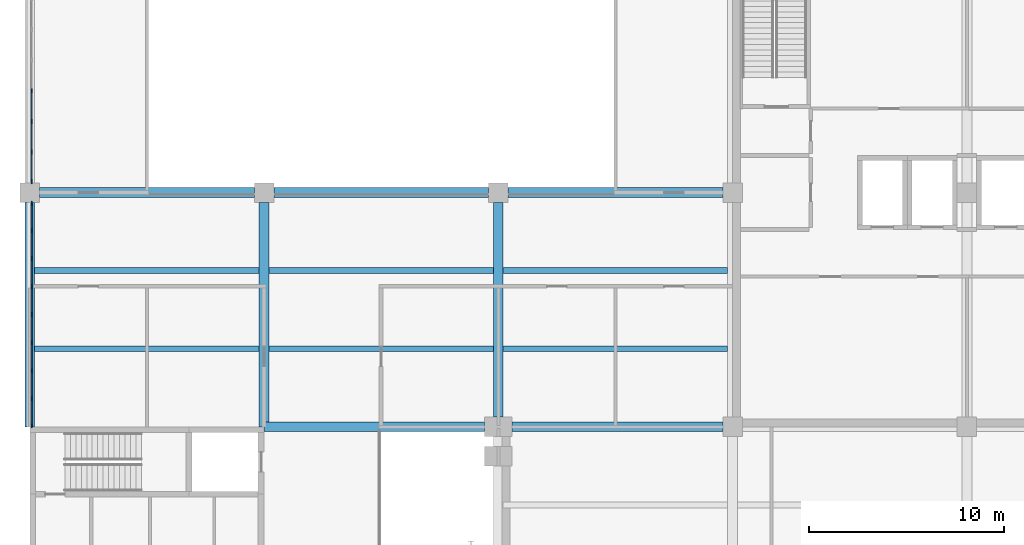
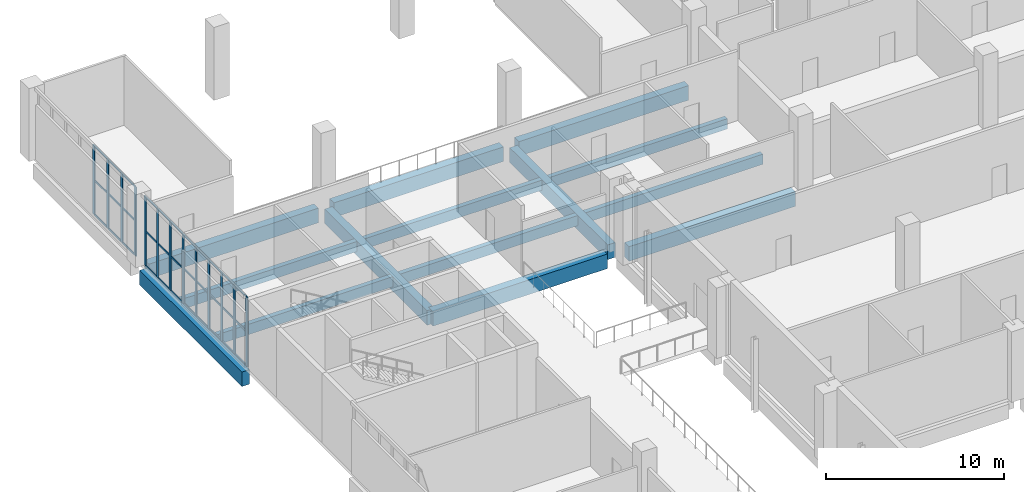
# One storey, part 37 of 69: 46 members, 14 beams, 2 elements without a shape of their own.
"""IFC4 building model written with IfcOpenShell, lengths in metres."""

from ifc_helpers import new_model, si_unit, direction, frame, origin, origin_2d, place, context, subcontext, project, spatial, rectangle, extrude, material, layer, layer_set, material_profile, profile_set, type_object, element, aggregate, save


model = new_model("IFC4")

# Units and contexts
model_context = context("Model", 3, precision=1e-05, world=origin(), true_north=direction((0.0, 1.0)))
body_context = subcontext(model_context, "Body", "Model", "MODEL_VIEW")
ifc_project = project(units=[si_unit("LENGTHUNIT", "METRE"), si_unit("AREAUNIT", "SQUARE_METRE"), si_unit("VOLUMEUNIT", "CUBIC_METRE"), si_unit("PLANEANGLEUNIT", "RADIAN"), si_unit("MASSUNIT", "GRAM", prefix="KILO")], contexts=[model_context])

# Site, building, storey
site_placement = place(None, origin())
site = spatial("IfcSite", under=ifc_project, at=site_placement, CompositionType="ELEMENT")
building_placement = place(site_placement, origin())
building = spatial("IfcBuilding", under=site, at=building_placement, Name="Lilac Gate Convention Centre", CompositionType="ELEMENT")
storey_placement = place(building_placement, frame((0.0, 0.0, 12.0)))
storey = spatial("IfcBuildingStorey", under=building, at=storey_placement, Name="L02", CompositionType="ELEMENT", Elevation=12.0)

# Curtain wall, members
ifc_material_1 = material(Name="Aluminium framed double glazing", Category="aluminium")
ifc_layer = layer(ifc_material_1, 0.199951171875)
ifc_layer_set = layer_set([ifc_layer], Name="Aluminium framed double glazing")
curtain_wall_type = type_object("IfcCurtainWallType", Name="Unitised curtain wall 1500", PredefinedType="NOTDEFINED", material=ifc_layer_set)
curtain_wall_1_placement = place(storey_placement, origin())
curtain_wall_1 = element("IfcCurtainWall", 1, at=curtain_wall_1_placement, inside=storey, type_object=curtain_wall_type, Name="Curtain wall GW L02 1", PredefinedType="NOTDEFINED")
ifc_material_2 = material(Name="Aluminium alloy 6063", Category="aluminium")
ifc_material_profile_1 = material_profile(ifc_material_2, rectangle(XDim=0.06005859375, YDim=0.219970703125, at=origin_2d()), Name="Curtain wall mullion 60 x 220")
ifc_profile_set_1 = profile_set([ifc_material_profile_1], Name="Aluminium alloy 6063")
member_type_1 = type_object("IfcMemberType", Name="Curtain wall mullion 60 x 220", PredefinedType="MULLION", material=ifc_profile_set_1)
member_1_placement = place(storey_placement, frame((6.10009765625, 239.21435546875, 0.0), z_axis=(0.0, 0.0, 1.0), x_axis=(1.0, 0.0, 0.0)))
member_1 = element("IfcMember", 2, at=member_1_placement, type_object=member_type_1, Name="CW mullion 5", PredefinedType="MULLION", context=body_context, shape_type="SweptSolid", body=[
    extrude(rectangle(XDim=0.06005859375, YDim=0.219970703125, at=origin_2d()), origin(), (0.0, 0.0, 1.0), 4.75),
])
member_2_placement = place(storey_placement, frame((6.10009765625, 237.642822265625, 0.0), z_axis=(0.0, 0.0, 1.0), x_axis=(1.0, 0.0, 0.0)))
member_2 = element("IfcMember", 3, at=member_2_placement, type_object=member_type_1, Name="CW mullion 6", PredefinedType="MULLION", context=body_context, shape_type="SweptSolid", body=[
    extrude(rectangle(XDim=0.06005859375, YDim=0.219970703125, at=origin_2d()), origin(), (0.0, 0.0, 1.0), 4.75),
])
member_3_placement = place(storey_placement, frame((6.10009765625, 236.071533203125, 0.0), z_axis=(0.0, 0.0, 1.0), x_axis=(1.0, 0.0, 0.0)))
member_3 = element("IfcMember", 4, at=member_3_placement, type_object=member_type_1, Name="CW mullion 7", PredefinedType="MULLION", context=body_context, shape_type="SweptSolid", body=[
    extrude(rectangle(XDim=0.06005859375, YDim=0.219970703125, at=origin_2d()), origin(), (0.0, 0.0, 1.0), 4.75),
])
member_4_placement = place(storey_placement, frame((6.10009765625, 234.56005859375, 0.0), z_axis=(0.0, 0.0, 1.0), x_axis=(1.0, 0.0, 0.0)))
member_4 = element("IfcMember", 5, at=member_4_placement, type_object=member_type_1, Name="CW mullion 8", PredefinedType="MULLION", context=body_context, shape_type="SweptSolid", body=[
    extrude(rectangle(XDim=0.06005859375, YDim=0.219970703125, at=origin_2d()), origin(), (0.0, 0.0, 1.0), 4.75),
])

curtain_wall_2_placement = place(storey_placement, origin())
curtain_wall_2 = element("IfcCurtainWall", 6, at=curtain_wall_2_placement, inside=storey, type_object=curtain_wall_type, Name="Curtain wall GW L02 2", PredefinedType="NOTDEFINED")
member_5_placement = place(storey_placement, frame((6.10009765625, 233.43994140625, 0.0), z_axis=(0.0, 0.0, 1.0), x_axis=(1.0, 0.0, 0.0)))
member_5 = element("IfcMember", 7, at=member_5_placement, type_object=member_type_1, Name="CW mullion 1", PredefinedType="MULLION", context=body_context, shape_type="SweptSolid", body=[
    extrude(rectangle(XDim=0.06005859375, YDim=0.219970703125, at=origin_2d()), origin(), (0.0, 0.0, 1.0), 4.75),
])
member_6_placement = place(storey_placement, frame((6.10009765625, 232.0625, 0.0), z_axis=(0.0, 0.0, 1.0), x_axis=(1.0, 0.0, 0.0)))
member_6 = element("IfcMember", 8, at=member_6_placement, type_object=member_type_1, Name="CW mullion 2", PredefinedType="MULLION", context=body_context, shape_type="SweptSolid", body=[
    extrude(rectangle(XDim=0.06005859375, YDim=0.219970703125, at=origin_2d()), origin(), (0.0, 0.0, 1.0), 4.75),
])
member_7_placement = place(storey_placement, frame((6.10009765625, 230.625, 0.0), z_axis=(0.0, 0.0, 1.0), x_axis=(1.0, 0.0, 0.0)))
member_7 = element("IfcMember", 9, at=member_7_placement, type_object=member_type_1, Name="CW mullion 3", PredefinedType="MULLION", context=body_context, shape_type="SweptSolid", body=[
    extrude(rectangle(XDim=0.06005859375, YDim=0.219970703125, at=origin_2d()), origin(), (0.0, 0.0, 1.0), 4.75),
])
member_8_placement = place(storey_placement, frame((6.10009765625, 229.1875, 0.0), z_axis=(0.0, 0.0, 1.0), x_axis=(1.0, 0.0, 0.0)))
member_8 = element("IfcMember", 10, at=member_8_placement, type_object=member_type_1, Name="CW mullion 4", PredefinedType="MULLION", context=body_context, shape_type="SweptSolid", body=[
    extrude(rectangle(XDim=0.06005859375, YDim=0.219970703125, at=origin_2d()), origin(), (0.0, 0.0, 1.0), 4.75),
])
member_9_placement = place(storey_placement, frame((6.10009765625, 227.75, 0.0), z_axis=(0.0, 0.0, 1.0), x_axis=(1.0, 0.0, 0.0)))
member_9 = element("IfcMember", 11, at=member_9_placement, type_object=member_type_1, Name="CW mullion 5", PredefinedType="MULLION", context=body_context, shape_type="SweptSolid", body=[
    extrude(rectangle(XDim=0.06005859375, YDim=0.219970703125, at=origin_2d()), origin(), (0.0, 0.0, 1.0), 4.75),
])
member_10_placement = place(storey_placement, frame((6.10009765625, 226.3125, 0.0), z_axis=(0.0, 0.0, 1.0), x_axis=(1.0, 0.0, 0.0)))
member_10 = element("IfcMember", 12, at=member_10_placement, type_object=member_type_1, Name="CW mullion 6", PredefinedType="MULLION", context=body_context, shape_type="SweptSolid", body=[
    extrude(rectangle(XDim=0.06005859375, YDim=0.219970703125, at=origin_2d()), origin(), (0.0, 0.0, 1.0), 4.75),
])
member_11_placement = place(storey_placement, frame((6.10009765625, 224.875, 0.0), z_axis=(0.0, 0.0, 1.0), x_axis=(1.0, 0.0, 0.0)))
member_11 = element("IfcMember", 13, at=member_11_placement, type_object=member_type_1, Name="CW mullion 7", PredefinedType="MULLION", context=body_context, shape_type="SweptSolid", body=[
    extrude(rectangle(XDim=0.06005859375, YDim=0.219970703125, at=origin_2d()), origin(), (0.0, 0.0, 1.0), 4.75),
])
member_12_placement = place(storey_placement, frame((6.10009765625, 223.4375, 0.0), z_axis=(0.0, 0.0, 1.0), x_axis=(1.0, 0.0, 0.0)))
member_12 = element("IfcMember", 14, at=member_12_placement, type_object=member_type_1, Name="CW mullion 8", PredefinedType="MULLION", context=body_context, shape_type="SweptSolid", body=[
    extrude(rectangle(XDim=0.06005859375, YDim=0.219970703125, at=origin_2d()), origin(), (0.0, 0.0, 1.0), 4.75),
])
member_13_placement = place(storey_placement, frame((6.10009765625, 222.06005859375, 0.0), z_axis=(0.0, 0.0, 1.0), x_axis=(1.0, 0.0, 0.0)))
member_13 = element("IfcMember", 15, at=member_13_placement, type_object=member_type_1, Name="CW mullion 9", PredefinedType="MULLION", context=body_context, shape_type="SweptSolid", body=[
    extrude(rectangle(XDim=0.06005859375, YDim=0.219970703125, at=origin_2d()), origin(), (0.0, 0.0, 1.0), 4.75),
])

# Member
ifc_material_profile_2 = material_profile(ifc_material_2, rectangle(XDim=0.06005859375, YDim=0.1201171875, at=origin_2d()), Name="Curtain wall transom 60 x 120")
ifc_profile_set_2 = profile_set([ifc_material_profile_2], Name="Aluminium alloy 6063")
member_type_2 = type_object("IfcMemberType", Name="Curtain wall transom 60 x 120", PredefinedType="USERDEFINED", material=ifc_profile_set_2)
member_14_placement = place(storey_placement, frame((6.10009765625, 239.184326171875, 0.030029296875), z_axis=(0.0, -1.0, 0.0), x_axis=(1.0, 0.0, 0.0)))
member_14 = element("IfcMember", 16, at=member_14_placement, type_object=member_type_2, Name="CW transom 5.1", ObjectType="TRANSOM", PredefinedType="USERDEFINED", context=body_context, shape_type="SweptSolid", body=[
    extrude(rectangle(XDim=0.06005859375, YDim=0.1201171875, at=origin_2d()), origin(), (0.0, 0.0, 1.0), 1.511474609375),
])

member_15_placement = place(storey_placement, frame((6.10009765625, 239.184326171875, 2.375), z_axis=(0.0, -1.0, 0.0), x_axis=(1.0, 0.0, 0.0)))
member_15 = element("IfcMember", 17, at=member_15_placement, type_object=member_type_2, Name="CW transom 5.2", ObjectType="TRANSOM", PredefinedType="USERDEFINED", context=body_context, shape_type="SweptSolid", body=[
    extrude(rectangle(XDim=0.06005859375, YDim=0.1201171875, at=origin_2d()), origin(), (0.0, 0.0, 1.0), 1.511474609375),
])

member_16_placement = place(storey_placement, frame((6.10009765625, 239.184326171875, 4.719970703125), z_axis=(0.0, -1.0, 0.0), x_axis=(1.0, 0.0, 0.0)))
member_16 = element("IfcMember", 18, at=member_16_placement, type_object=member_type_2, Name="CW transom 5.3", ObjectType="TRANSOM", PredefinedType="USERDEFINED", context=body_context, shape_type="SweptSolid", body=[
    extrude(rectangle(XDim=0.06005859375, YDim=0.1201171875, at=origin_2d()), origin(), (0.0, 0.0, 1.0), 1.511474609375),
])

member_17_placement = place(storey_placement, frame((6.10009765625, 237.61279296875, 0.030029296875), z_axis=(0.0, -1.0, 0.0), x_axis=(1.0, 0.0, 0.0)))
member_17 = element("IfcMember", 19, at=member_17_placement, type_object=member_type_2, Name="CW transom 6.1", ObjectType="TRANSOM", PredefinedType="USERDEFINED", context=body_context, shape_type="SweptSolid", body=[
    extrude(rectangle(XDim=0.06005859375, YDim=0.1201171875, at=origin_2d()), origin(), (0.0, 0.0, 1.0), 1.511474609375),
])

member_18_placement = place(storey_placement, frame((6.10009765625, 237.61279296875, 2.375), z_axis=(0.0, -1.0, 0.0), x_axis=(1.0, 0.0, 0.0)))
member_18 = element("IfcMember", 20, at=member_18_placement, type_object=member_type_2, Name="CW transom 6.2", ObjectType="TRANSOM", PredefinedType="USERDEFINED", context=body_context, shape_type="SweptSolid", body=[
    extrude(rectangle(XDim=0.06005859375, YDim=0.1201171875, at=origin_2d()), origin(), (0.0, 0.0, 1.0), 1.511474609375),
])

member_19_placement = place(storey_placement, frame((6.10009765625, 237.61279296875, 4.719970703125), z_axis=(0.0, -1.0, 0.0), x_axis=(1.0, 0.0, 0.0)))
member_19 = element("IfcMember", 21, at=member_19_placement, type_object=member_type_2, Name="CW transom 6.3", ObjectType="TRANSOM", PredefinedType="USERDEFINED", context=body_context, shape_type="SweptSolid", body=[
    extrude(rectangle(XDim=0.06005859375, YDim=0.1201171875, at=origin_2d()), origin(), (0.0, 0.0, 1.0), 1.511474609375),
])

member_20_placement = place(storey_placement, frame((6.10009765625, 236.04150390625, 0.030029296875), z_axis=(0.0, -1.0, 0.0), x_axis=(1.0, 0.0, 0.0)))
member_20 = element("IfcMember", 22, at=member_20_placement, type_object=member_type_2, Name="CW transom 7.1", ObjectType="TRANSOM", PredefinedType="USERDEFINED", context=body_context, shape_type="SweptSolid", body=[
    extrude(rectangle(XDim=0.06005859375, YDim=0.1201171875, at=origin_2d()), origin(), (0.0, 0.0, 1.0), 1.4814453125),
])

member_21_placement = place(storey_placement, frame((6.10009765625, 236.04150390625, 2.375), z_axis=(0.0, -1.0, 0.0), x_axis=(1.0, 0.0, 0.0)))
member_21 = element("IfcMember", 23, at=member_21_placement, type_object=member_type_2, Name="CW transom 7.2", ObjectType="TRANSOM", PredefinedType="USERDEFINED", context=body_context, shape_type="SweptSolid", body=[
    extrude(rectangle(XDim=0.06005859375, YDim=0.1201171875, at=origin_2d()), origin(), (0.0, 0.0, 1.0), 1.4814453125),
])

member_22_placement = place(storey_placement, frame((6.10009765625, 236.04150390625, 4.719970703125), z_axis=(0.0, -1.0, 0.0), x_axis=(1.0, 0.0, 0.0)))
member_22 = element("IfcMember", 24, at=member_22_placement, type_object=member_type_2, Name="CW transom 7.3", ObjectType="TRANSOM", PredefinedType="USERDEFINED", context=body_context, shape_type="SweptSolid", body=[
    extrude(rectangle(XDim=0.06005859375, YDim=0.1201171875, at=origin_2d()), origin(), (0.0, 0.0, 1.0), 1.4814453125),
])

aggregate(curtain_wall_1, [member_1, member_2, member_3, member_4, member_14, member_15, member_16, member_17, member_18, member_19, member_20, member_21, member_22])

member_23_placement = place(storey_placement, frame((6.10009765625, 233.43994140625, 0.030029296875), z_axis=(0.0, -1.0, 0.0), x_axis=(1.0, 0.0, 0.0)))
member_23 = element("IfcMember", 25, at=member_23_placement, type_object=member_type_2, Name="CW transom 1.1", ObjectType="TRANSOM", PredefinedType="USERDEFINED", context=body_context, shape_type="SweptSolid", body=[
    extrude(rectangle(XDim=0.06005859375, YDim=0.1201171875, at=origin_2d()), origin(), (0.0, 0.0, 1.0), 1.347412109375),
])

member_24_placement = place(storey_placement, frame((6.10009765625, 233.43994140625, 2.375), z_axis=(0.0, -1.0, 0.0), x_axis=(1.0, 0.0, 0.0)))
member_24 = element("IfcMember", 26, at=member_24_placement, type_object=member_type_2, Name="CW transom 1.2", ObjectType="TRANSOM", PredefinedType="USERDEFINED", context=body_context, shape_type="SweptSolid", body=[
    extrude(rectangle(XDim=0.06005859375, YDim=0.1201171875, at=origin_2d()), origin(), (0.0, 0.0, 1.0), 1.347412109375),
])

member_25_placement = place(storey_placement, frame((6.10009765625, 233.43994140625, 4.719970703125), z_axis=(0.0, -1.0, 0.0), x_axis=(1.0, 0.0, 0.0)))
member_25 = element("IfcMember", 27, at=member_25_placement, type_object=member_type_2, Name="CW transom 1.3", ObjectType="TRANSOM", PredefinedType="USERDEFINED", context=body_context, shape_type="SweptSolid", body=[
    extrude(rectangle(XDim=0.06005859375, YDim=0.1201171875, at=origin_2d()), origin(), (0.0, 0.0, 1.0), 1.347412109375),
])

member_26_placement = place(storey_placement, frame((6.10009765625, 232.032470703125, 0.030029296875), z_axis=(0.0, -1.0, 0.0), x_axis=(1.0, 0.0, 0.0)))
member_26 = element("IfcMember", 28, at=member_26_placement, type_object=member_type_2, Name="CW transom 2.1", ObjectType="TRANSOM", PredefinedType="USERDEFINED", context=body_context, shape_type="SweptSolid", body=[
    extrude(rectangle(XDim=0.06005859375, YDim=0.1201171875, at=origin_2d()), origin(), (0.0, 0.0, 1.0), 1.37744140625),
])

member_27_placement = place(storey_placement, frame((6.10009765625, 232.032470703125, 2.375), z_axis=(0.0, -1.0, 0.0), x_axis=(1.0, 0.0, 0.0)))
member_27 = element("IfcMember", 29, at=member_27_placement, type_object=member_type_2, Name="CW transom 2.2", ObjectType="TRANSOM", PredefinedType="USERDEFINED", context=body_context, shape_type="SweptSolid", body=[
    extrude(rectangle(XDim=0.06005859375, YDim=0.1201171875, at=origin_2d()), origin(), (0.0, 0.0, 1.0), 1.37744140625),
])

member_28_placement = place(storey_placement, frame((6.10009765625, 232.032470703125, 4.719970703125), z_axis=(0.0, -1.0, 0.0), x_axis=(1.0, 0.0, 0.0)))
member_28 = element("IfcMember", 30, at=member_28_placement, type_object=member_type_2, Name="CW transom 2.3", ObjectType="TRANSOM", PredefinedType="USERDEFINED", context=body_context, shape_type="SweptSolid", body=[
    extrude(rectangle(XDim=0.06005859375, YDim=0.1201171875, at=origin_2d()), origin(), (0.0, 0.0, 1.0), 1.37744140625),
])

member_29_placement = place(storey_placement, frame((6.10009765625, 230.594970703125, 0.030029296875), z_axis=(0.0, -1.0, 0.0), x_axis=(1.0, 0.0, 0.0)))
member_29 = element("IfcMember", 31, at=member_29_placement, type_object=member_type_2, Name="CW transom 3.1", ObjectType="TRANSOM", PredefinedType="USERDEFINED", context=body_context, shape_type="SweptSolid", body=[
    extrude(rectangle(XDim=0.06005859375, YDim=0.1201171875, at=origin_2d()), origin(), (0.0, 0.0, 1.0), 1.37744140625),
])

member_30_placement = place(storey_placement, frame((6.10009765625, 230.594970703125, 2.375), z_axis=(0.0, -1.0, 0.0), x_axis=(1.0, 0.0, 0.0)))
member_30 = element("IfcMember", 32, at=member_30_placement, type_object=member_type_2, Name="CW transom 3.2", ObjectType="TRANSOM", PredefinedType="USERDEFINED", context=body_context, shape_type="SweptSolid", body=[
    extrude(rectangle(XDim=0.06005859375, YDim=0.1201171875, at=origin_2d()), origin(), (0.0, 0.0, 1.0), 1.37744140625),
])

member_31_placement = place(storey_placement, frame((6.10009765625, 230.594970703125, 4.719970703125), z_axis=(0.0, -1.0, 0.0), x_axis=(1.0, 0.0, 0.0)))
member_31 = element("IfcMember", 33, at=member_31_placement, type_object=member_type_2, Name="CW transom 3.3", ObjectType="TRANSOM", PredefinedType="USERDEFINED", context=body_context, shape_type="SweptSolid", body=[
    extrude(rectangle(XDim=0.06005859375, YDim=0.1201171875, at=origin_2d()), origin(), (0.0, 0.0, 1.0), 1.37744140625),
])

member_32_placement = place(storey_placement, frame((6.10009765625, 229.157470703125, 0.030029296875), z_axis=(0.0, -1.0, 0.0), x_axis=(1.0, 0.0, 0.0)))
member_32 = element("IfcMember", 34, at=member_32_placement, type_object=member_type_2, Name="CW transom 4.1", ObjectType="TRANSOM", PredefinedType="USERDEFINED", context=body_context, shape_type="SweptSolid", body=[
    extrude(rectangle(XDim=0.06005859375, YDim=0.1201171875, at=origin_2d()), origin(), (0.0, 0.0, 1.0), 1.37744140625),
])

member_33_placement = place(storey_placement, frame((6.10009765625, 229.157470703125, 2.375), z_axis=(0.0, -1.0, 0.0), x_axis=(1.0, 0.0, 0.0)))
member_33 = element("IfcMember", 35, at=member_33_placement, type_object=member_type_2, Name="CW transom 4.2", ObjectType="TRANSOM", PredefinedType="USERDEFINED", context=body_context, shape_type="SweptSolid", body=[
    extrude(rectangle(XDim=0.06005859375, YDim=0.1201171875, at=origin_2d()), origin(), (0.0, 0.0, 1.0), 1.37744140625),
])

member_34_placement = place(storey_placement, frame((6.10009765625, 229.157470703125, 4.719970703125), z_axis=(0.0, -1.0, 0.0), x_axis=(1.0, 0.0, 0.0)))
member_34 = element("IfcMember", 36, at=member_34_placement, type_object=member_type_2, Name="CW transom 4.3", ObjectType="TRANSOM", PredefinedType="USERDEFINED", context=body_context, shape_type="SweptSolid", body=[
    extrude(rectangle(XDim=0.06005859375, YDim=0.1201171875, at=origin_2d()), origin(), (0.0, 0.0, 1.0), 1.37744140625),
])

member_35_placement = place(storey_placement, frame((6.10009765625, 227.719970703125, 0.030029296875), z_axis=(0.0, -1.0, 0.0), x_axis=(1.0, 0.0, 0.0)))
member_35 = element("IfcMember", 37, at=member_35_placement, type_object=member_type_2, Name="CW transom 5.1", ObjectType="TRANSOM", PredefinedType="USERDEFINED", context=body_context, shape_type="SweptSolid", body=[
    extrude(rectangle(XDim=0.06005859375, YDim=0.1201171875, at=origin_2d()), origin(), (0.0, 0.0, 1.0), 1.37744140625),
])

member_36_placement = place(storey_placement, frame((6.10009765625, 227.719970703125, 2.375), z_axis=(0.0, -1.0, 0.0), x_axis=(1.0, 0.0, 0.0)))
member_36 = element("IfcMember", 38, at=member_36_placement, type_object=member_type_2, Name="CW transom 5.2", ObjectType="TRANSOM", PredefinedType="USERDEFINED", context=body_context, shape_type="SweptSolid", body=[
    extrude(rectangle(XDim=0.06005859375, YDim=0.1201171875, at=origin_2d()), origin(), (0.0, 0.0, 1.0), 1.37744140625),
])

member_37_placement = place(storey_placement, frame((6.10009765625, 227.719970703125, 4.719970703125), z_axis=(0.0, -1.0, 0.0), x_axis=(1.0, 0.0, 0.0)))
member_37 = element("IfcMember", 39, at=member_37_placement, type_object=member_type_2, Name="CW transom 5.3", ObjectType="TRANSOM", PredefinedType="USERDEFINED", context=body_context, shape_type="SweptSolid", body=[
    extrude(rectangle(XDim=0.06005859375, YDim=0.1201171875, at=origin_2d()), origin(), (0.0, 0.0, 1.0), 1.37744140625),
])

member_38_placement = place(storey_placement, frame((6.10009765625, 226.282470703125, 0.030029296875), z_axis=(0.0, -1.0, 0.0), x_axis=(1.0, 0.0, 0.0)))
member_38 = element("IfcMember", 40, at=member_38_placement, type_object=member_type_2, Name="CW transom 6.1", ObjectType="TRANSOM", PredefinedType="USERDEFINED", context=body_context, shape_type="SweptSolid", body=[
    extrude(rectangle(XDim=0.06005859375, YDim=0.1201171875, at=origin_2d()), origin(), (0.0, 0.0, 1.0), 1.37744140625),
])

member_39_placement = place(storey_placement, frame((6.10009765625, 226.282470703125, 2.375), z_axis=(0.0, -1.0, 0.0), x_axis=(1.0, 0.0, 0.0)))
member_39 = element("IfcMember", 41, at=member_39_placement, type_object=member_type_2, Name="CW transom 6.2", ObjectType="TRANSOM", PredefinedType="USERDEFINED", context=body_context, shape_type="SweptSolid", body=[
    extrude(rectangle(XDim=0.06005859375, YDim=0.1201171875, at=origin_2d()), origin(), (0.0, 0.0, 1.0), 1.37744140625),
])

member_40_placement = place(storey_placement, frame((6.10009765625, 226.282470703125, 4.719970703125), z_axis=(0.0, -1.0, 0.0), x_axis=(1.0, 0.0, 0.0)))
member_40 = element("IfcMember", 42, at=member_40_placement, type_object=member_type_2, Name="CW transom 6.3", ObjectType="TRANSOM", PredefinedType="USERDEFINED", context=body_context, shape_type="SweptSolid", body=[
    extrude(rectangle(XDim=0.06005859375, YDim=0.1201171875, at=origin_2d()), origin(), (0.0, 0.0, 1.0), 1.37744140625),
])

member_41_placement = place(storey_placement, frame((6.10009765625, 224.844970703125, 0.030029296875), z_axis=(0.0, -1.0, 0.0), x_axis=(1.0, 0.0, 0.0)))
member_41 = element("IfcMember", 43, at=member_41_placement, type_object=member_type_2, Name="CW transom 7.1", ObjectType="TRANSOM", PredefinedType="USERDEFINED", context=body_context, shape_type="SweptSolid", body=[
    extrude(rectangle(XDim=0.06005859375, YDim=0.1201171875, at=origin_2d()), origin(), (0.0, 0.0, 1.0), 1.37744140625),
])

member_42_placement = place(storey_placement, frame((6.10009765625, 224.844970703125, 2.375), z_axis=(0.0, -1.0, 0.0), x_axis=(1.0, 0.0, 0.0)))
member_42 = element("IfcMember", 44, at=member_42_placement, type_object=member_type_2, Name="CW transom 7.2", ObjectType="TRANSOM", PredefinedType="USERDEFINED", context=body_context, shape_type="SweptSolid", body=[
    extrude(rectangle(XDim=0.06005859375, YDim=0.1201171875, at=origin_2d()), origin(), (0.0, 0.0, 1.0), 1.37744140625),
])

member_43_placement = place(storey_placement, frame((6.10009765625, 224.844970703125, 4.719970703125), z_axis=(0.0, -1.0, 0.0), x_axis=(1.0, 0.0, 0.0)))
member_43 = element("IfcMember", 45, at=member_43_placement, type_object=member_type_2, Name="CW transom 7.3", ObjectType="TRANSOM", PredefinedType="USERDEFINED", context=body_context, shape_type="SweptSolid", body=[
    extrude(rectangle(XDim=0.06005859375, YDim=0.1201171875, at=origin_2d()), origin(), (0.0, 0.0, 1.0), 1.37744140625),
])

member_44_placement = place(storey_placement, frame((6.10009765625, 223.407470703125, 0.030029296875), z_axis=(0.0, -1.0, 0.0), x_axis=(1.0, 0.0, 0.0)))
member_44 = element("IfcMember", 46, at=member_44_placement, type_object=member_type_2, Name="CW transom 8.1", ObjectType="TRANSOM", PredefinedType="USERDEFINED", context=body_context, shape_type="SweptSolid", body=[
    extrude(rectangle(XDim=0.06005859375, YDim=0.1201171875, at=origin_2d()), origin(), (0.0, 0.0, 1.0), 1.347412109375),
])

member_45_placement = place(storey_placement, frame((6.10009765625, 223.407470703125, 2.375), z_axis=(0.0, -1.0, 0.0), x_axis=(1.0, 0.0, 0.0)))
member_45 = element("IfcMember", 47, at=member_45_placement, type_object=member_type_2, Name="CW transom 8.2", ObjectType="TRANSOM", PredefinedType="USERDEFINED", context=body_context, shape_type="SweptSolid", body=[
    extrude(rectangle(XDim=0.06005859375, YDim=0.1201171875, at=origin_2d()), origin(), (0.0, 0.0, 1.0), 1.347412109375),
])

member_46_placement = place(storey_placement, frame((6.10009765625, 223.407470703125, 4.719970703125), z_axis=(0.0, -1.0, 0.0), x_axis=(1.0, 0.0, 0.0)))
member_46 = element("IfcMember", 48, at=member_46_placement, type_object=member_type_2, Name="CW transom 8.3", ObjectType="TRANSOM", PredefinedType="USERDEFINED", context=body_context, shape_type="SweptSolid", body=[
    extrude(rectangle(XDim=0.06005859375, YDim=0.1201171875, at=origin_2d()), origin(), (0.0, 0.0, 1.0), 1.347412109375),
])

aggregate(curtain_wall_2, [member_5, member_6, member_7, member_8, member_9, member_10, member_11, member_12, member_13, member_23, member_24, member_25, member_26, member_27, member_28, member_29, member_30, member_31, member_32, member_33, member_34, member_35, member_36, member_37, member_38, member_39, member_40, member_41, member_42, member_43, member_44, member_45, member_46])

# Beams
ifc_material_3 = material(Name="Concrete C40", Category="concrete")
ifc_material_profile_3 = material_profile(ifc_material_3, rectangle(XDim=0.5, YDim=1.0, at=origin_2d()), Name="RC 500x1000")
ifc_profile_set_3 = profile_set([ifc_material_profile_3], Name="Concrete C40")
beam_type_1 = type_object("IfcBeamType", Name="Primary beam 500x1000 C40", PredefinedType="BEAM", material=ifc_profile_set_3)
beam_1_placement = place(storey_placement, frame((18.0, 222.0, -0.75), z_axis=(1.0, 0.0, 0.0), x_axis=(0.0, 1.0, 0.0)))
element("IfcBeam", 49, at=beam_1_placement, inside=storey, type_object=beam_type_1, Name="RB1 L02 2/S-3/S", PredefinedType="BEAM", context=body_context, shape_type="SweptSolid", body=[
    extrude(rectangle(XDim=0.5, YDim=1.0, at=origin_2d()), origin(), (0.0, 0.0, 1.0), 11.300048828125),
])
beam_2_placement = place(storey_placement, frame((30.699951171875, 222.0, -0.75), z_axis=(1.0, 0.0, 0.0), x_axis=(0.0, 1.0, 0.0)))
element("IfcBeam", 50, at=beam_2_placement, inside=storey, type_object=beam_type_1, Name="RB1 L02 3/S-4/S", PredefinedType="BEAM", context=body_context, shape_type="SweptSolid", body=[
    extrude(rectangle(XDim=0.5, YDim=1.0, at=origin_2d()), origin(), (0.0, 0.0, 1.0), 10.800048828125),
])
for number, where, z_axis, x_axis, name in (
    (51, (6.5, 234.0, -0.75), (1.0, 0.0, 0.0), (0.0, 1.0, 0.0), "RB1 L02 1/T-2/T"),
    (52, (18.5, 234.0, -0.75), (1.0, 0.0, 0.0), (0.0, 1.0, 0.0), "RB1 L02 2/T-3/T"),
    (53, (30.5, 234.0, -0.75), (1.0, 0.0, 0.0), (0.0, 1.0, 0.0), "RB1 L02 3/T-4/T"),
):
    element("IfcBeam", number, at=place(storey_placement, frame(where, z_axis=z_axis, x_axis=x_axis)), inside=storey, type_object=beam_type_1, Name=name, PredefinedType="BEAM", context=body_context, shape_type="SweptSolid", body=[
        extrude(rectangle(XDim=0.5, YDim=1.0, at=origin_2d()), origin(), (0.0, 0.0, 1.0), 11.0),
    ])
for number, where, z_axis, x_axis, name in (
    (54, (6.0, 222.0, -0.75), (0.0, 1.0, 0.0), (-1.0, 0.0, 0.0), "RB1 L02 1/S-1/T"),
    (55, (18.0, 222.0, -0.75), (0.0, 1.0, 0.0), (-1.0, 0.0, 0.0), "RB1 L02 2/S-2/T"),
):
    element("IfcBeam", number, at=place(storey_placement, frame(where, z_axis=z_axis, x_axis=x_axis)), inside=storey, type_object=beam_type_1, Name=name, PredefinedType="BEAM", context=body_context, shape_type="SweptSolid", body=[
        extrude(rectangle(XDim=0.5, YDim=1.0, at=origin_2d()), origin(), (0.0, 0.0, 1.0), 11.5),
    ])
beam_3_placement = place(storey_placement, frame((30.0, 222.5, -0.75), z_axis=(0.0, 1.0, 0.0), x_axis=(-1.0, 0.0, 0.0)))
element("IfcBeam", 56, at=beam_3_placement, inside=storey, type_object=beam_type_1, Name="RB1 L02 3/S-3/T", PredefinedType="BEAM", context=body_context, shape_type="SweptSolid", body=[
    extrude(rectangle(XDim=0.5, YDim=1.0, at=origin_2d()), origin(), (0.0, 0.0, 1.0), 11.0),
])
ifc_material_profile_4 = material_profile(ifc_material_3, rectangle(XDim=0.300048828125, YDim=0.699951171875, at=origin_2d()), Name="RC 300x700")
ifc_profile_set_4 = profile_set([ifc_material_profile_4], Name="Concrete C40")
beam_type_2 = type_object("IfcBeamType", Name="Secondary beam 300x700 C40", PredefinedType="BEAM", material=ifc_profile_set_4)
for number, where, z_axis, x_axis, name in (
    (57, (6.25, 226.0, -0.60009765625), (1.0, 0.0, 0.0), (0.0, 1.0, 0.0), "RB2 L02 bay 1/S"),
    (58, (6.25, 230.0, -0.60009765625), (1.0, 0.0, 0.0), (0.0, 1.0, 0.0), "RB2 L02 bay 1/S"),
    (59, (18.25, 226.0, -0.60009765625), (1.0, 0.0, 0.0), (0.0, 1.0, 0.0), "RB2 L02 bay 2/S"),
    (60, (18.25, 230.0, -0.60009765625), (1.0, 0.0, 0.0), (0.0, 1.0, 0.0), "RB2 L02 bay 2/S"),
    (61, (30.25, 226.0, -0.60009765625), (1.0, 0.0, 0.0), (0.0, 1.0, 0.0), "RB2 L02 bay 3/S"),
    (62, (30.25, 230.0, -0.60009765625), (1.0, 0.0, 0.0), (0.0, 1.0, 0.0), "RB2 L02 bay 3/S"),
):
    element("IfcBeam", number, at=place(storey_placement, frame(where, z_axis=z_axis, x_axis=x_axis)), inside=storey, type_object=beam_type_2, Name=name, PredefinedType="BEAM", context=body_context, shape_type="SweptSolid", body=[
        extrude(rectangle(XDim=0.300048828125, YDim=0.699951171875, at=origin_2d()), origin(), (0.0, 0.0, 1.0), 11.5),
    ])

save(model, "model.ifc")
